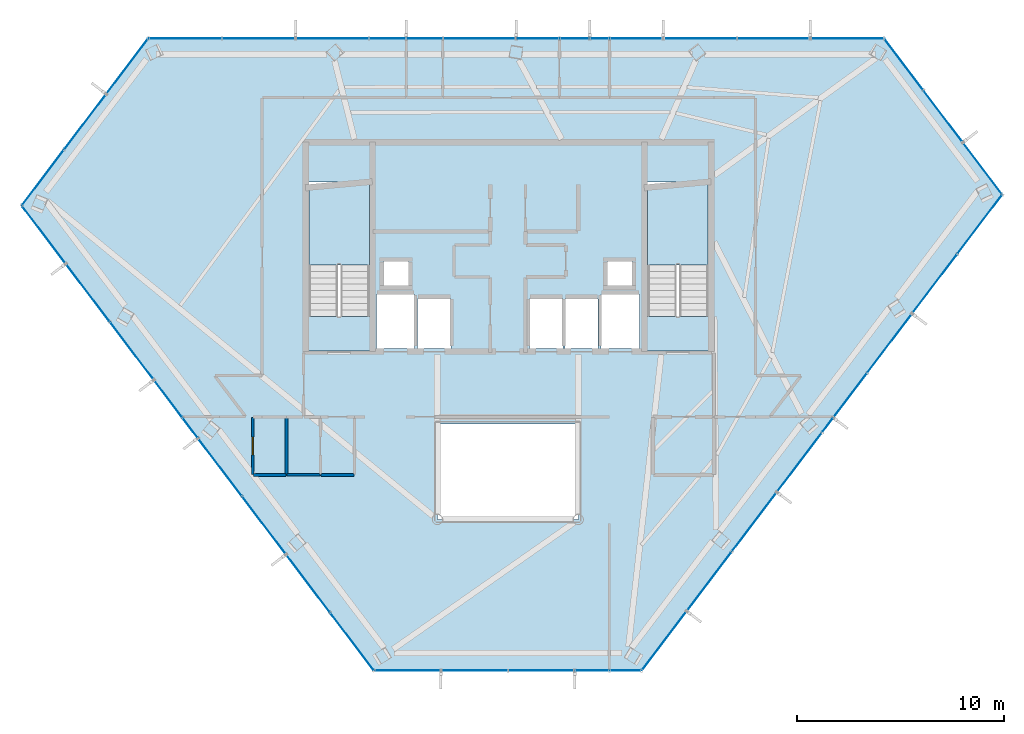
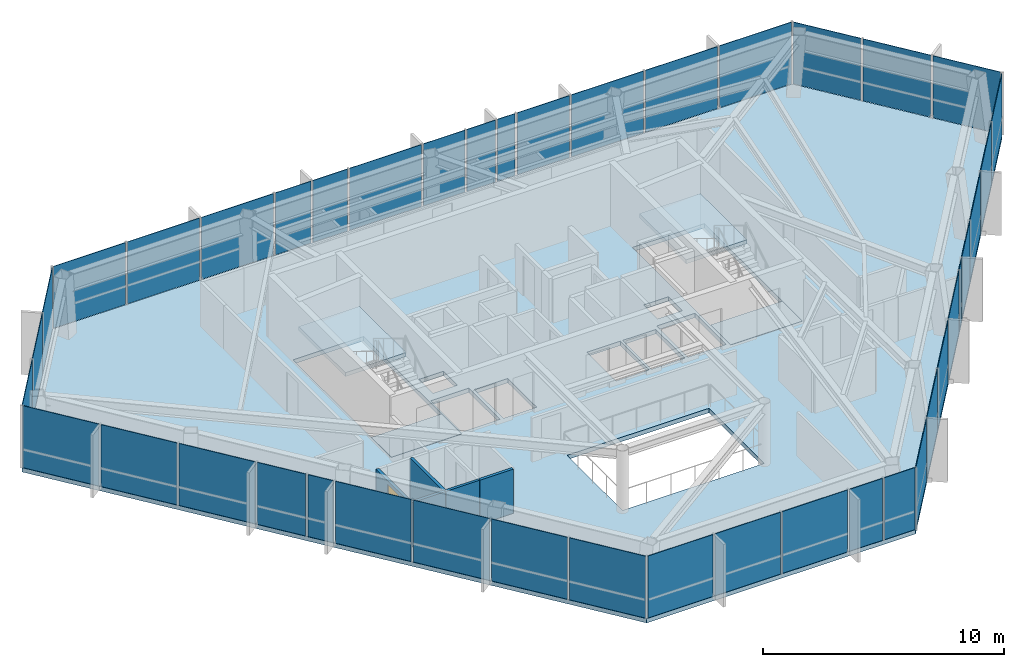
# One storey, part 23 of 27: 42 plates, 5 slabs, 5 walls, 1 door, 1 opening, 8 elements without a shape of their own.
"""IFC4 building model written with IfcOpenShell, lengths in metres."""

from ifc_helpers import new_model, si_unit, direction, frame, frame_2d, origin, origin_2d, place, context, subcontext, project, spatial, polyline, rectangle, outline, extrude, material, layer, layer_set, type_object, element, fill, aggregate, save


model = new_model("IFC4")

# Units and contexts
model_context = context("Model", 3, precision=1e-05, world=origin(), true_north=direction((0.0, 1.0)))
body_context = subcontext(model_context, "Body", "Model", "MODEL_VIEW")
ifc_project = project(units=[si_unit("LENGTHUNIT", "METRE"), si_unit("AREAUNIT", "SQUARE_METRE"), si_unit("VOLUMEUNIT", "CUBIC_METRE"), si_unit("PLANEANGLEUNIT", "RADIAN"), si_unit("MASSUNIT", "GRAM", prefix="KILO")], contexts=[model_context])

# Site, building, storey
site_placement = place(None, origin())
site = spatial("IfcSite", under=ifc_project, at=site_placement, CompositionType="ELEMENT")
building_placement = place(site_placement, origin())
building = spatial("IfcBuilding", under=site, at=building_placement, Name="Zarrinselat Tower", CompositionType="ELEMENT")
storey_placement = place(building_placement, frame((0.0, 0.0, 215.56005859375)))
storey = spatial("IfcBuildingStorey", under=building, at=storey_placement, Name="L53", CompositionType="ELEMENT", Elevation=215.56005859375)

# Curtain wall, plates
ifc_material_1 = material(Name="Extruded Aluminium Alloy EN AW-6063 T6", Category="aluminium")
ifc_layer_1 = layer(ifc_material_1, 0.169921875)
ifc_layer_set_1 = layer_set([ifc_layer_1], Name="Extruded Aluminium Alloy EN AW-6063 T6")
curtain_wall_type = type_object("IfcCurtainWallType", Name="CWS-RES", PredefinedType="NOTDEFINED", material=ifc_layer_set_1)
curtain_wall_1_placement = place(storey_placement, origin())
curtain_wall_1 = element("IfcCurtainWall", 1, at=curtain_wall_1_placement, inside=storey, type_object=curtain_wall_type, Name="L53 Unitised Curtain Wall CW-L53-E01", PredefinedType="NOTDEFINED")
ifc_material_2 = material(Name="Double Low-E Laminated Solar Glass", Category="glass")
ifc_layer_2 = layer(ifc_material_2, 0.028076171875)
ifc_layer_set_2 = layer_set([ifc_layer_2], Name="Double Low-E Laminated Solar Glass")
plate_type = type_object("IfcPlateType", Name="PLT-CW-GL28", PredefinedType="CURTAIN_PANEL", material=ifc_layer_set_2)
plate_1_placement = place(storey_placement, frame((54.767333984375, 48.4111328125, 0.02001953125), z_axis=(0.0, 0.0, 1.0), x_axis=(-1.0, 0.0, 0.0)))
plate_1 = element("IfcPlate", 2, at=plate_1_placement, type_object=plate_type, Name="CW-L53-E01 Vision Glass Panel 1", PredefinedType="CURTAIN_PANEL", context=body_context, shape_type="SweptSolid", body=[
    extrude(rectangle(XDim=3.447998046875, YDim=0.028076171875, at=origin_2d()), origin(), (0.0, 0.0, 1.0), 3.139892578125),
])
plate_2_placement = place(storey_placement, frame((51.219482421875, 48.4111328125, 0.02001953125), z_axis=(0.0, 0.0, 1.0), x_axis=(-1.0, 0.0, 0.0)))
plate_2 = element("IfcPlate", 3, at=plate_2_placement, type_object=plate_type, Name="CW-L53-E01 Vision Glass Panel 2", PredefinedType="CURTAIN_PANEL", context=body_context, shape_type="SweptSolid", body=[
    extrude(rectangle(XDim=3.447998046875, YDim=0.028076171875, at=origin_2d()), origin(), (0.0, 0.0, 1.0), 3.139892578125),
])
plate_3_placement = place(storey_placement, frame((47.671630859375, 48.4111328125, 0.02001953125), z_axis=(0.0, 0.0, 1.0), x_axis=(-1.0, 0.0, 0.0)))
plate_3 = element("IfcPlate", 4, at=plate_3_placement, type_object=plate_type, Name="CW-L53-E01 Vision Glass Panel 3", PredefinedType="CURTAIN_PANEL", context=body_context, shape_type="SweptSolid", body=[
    extrude(rectangle(XDim=3.447998046875, YDim=0.028076171875, at=origin_2d()), origin(), (0.0, 0.0, 1.0), 3.139892578125),
])
plate_4_placement = place(storey_placement, frame((44.598876953125, 48.4111328125, 0.02001953125), z_axis=(0.0, 0.0, 1.0), x_axis=(-1.0, 0.0, 0.0)))
plate_4 = element("IfcPlate", 5, at=plate_4_placement, type_object=plate_type, Name="CW-L53-E01 Vision Glass Panel 4", PredefinedType="CURTAIN_PANEL", context=body_context, shape_type="SweptSolid", body=[
    extrude(rectangle(XDim=2.497802734375, YDim=0.028076171875, at=origin_2d()), origin(), (0.0, 0.0, 1.0), 3.139892578125),
])
plate_5_placement = place(storey_placement, frame((42.824951171875, 48.4111328125, 0.02001953125), z_axis=(0.0, 0.0, 1.0), x_axis=(-1.0, 0.0, 0.0)))
plate_5 = element("IfcPlate", 6, at=plate_5_placement, type_object=plate_type, Name="CW-L53-E01 Vision Glass Panel 5", PredefinedType="CURTAIN_PANEL", context=body_context, shape_type="SweptSolid", body=[
    extrude(rectangle(XDim=0.85009765625, YDim=0.028076171875, at=origin_2d()), origin(), (0.0, 0.0, 1.0), 3.139892578125),
])
plate_6_placement = place(storey_placement, frame((41.619384765625, 48.4111328125, 0.02001953125), z_axis=(0.0, 0.0, 1.0), x_axis=(-1.0, 0.0, 0.0)))
plate_6 = element("IfcPlate", 7, at=plate_6_placement, type_object=plate_type, Name="CW-L53-E01 Vision Glass Panel 6", PredefinedType="CURTAIN_PANEL", context=body_context, shape_type="SweptSolid", body=[
    extrude(rectangle(XDim=1.360595703125, YDim=0.028076171875, at=origin_2d()), origin(), (0.0, 0.0, 1.0), 3.139892578125),
])
plate_7_placement = place(storey_placement, frame((39.845703125, 48.4111328125, 0.02001953125), z_axis=(0.0, 0.0, 1.0), x_axis=(-1.0, 0.0, 0.0)))
plate_7 = element("IfcPlate", 8, at=plate_7_placement, type_object=plate_type, Name="CW-L53-E01 Vision Glass Panel 7", PredefinedType="CURTAIN_PANEL", context=body_context, shape_type="SweptSolid", body=[
    extrude(rectangle(XDim=1.9873046875, YDim=0.028076171875, at=origin_2d()), origin(), (0.0, 0.0, 1.0), 3.139892578125),
])
plate_8_placement = place(storey_placement, frame((37.032958984375, 48.4111328125, 0.02001953125), z_axis=(0.0, 0.0, 1.0), x_axis=(-1.0, 0.0, 0.0)))
plate_8 = element("IfcPlate", 9, at=plate_8_placement, type_object=plate_type, Name="CW-L53-E01 Vision Glass Panel 8", PredefinedType="CURTAIN_PANEL", context=body_context, shape_type="SweptSolid", body=[
    extrude(rectangle(XDim=3.43798828125, YDim=0.028076171875, at=origin_2d()), origin(), (0.0, 0.0, 1.0), 3.139892578125),
])
plate_9_placement = place(storey_placement, frame((34.382080078125, 48.4111328125, 0.02001953125), z_axis=(0.0, 0.0, 1.0), x_axis=(-1.0, 0.0, 0.0)))
plate_9 = element("IfcPlate", 10, at=plate_9_placement, type_object=plate_type, Name="CW-L53-E01 Vision Glass Panel 9", PredefinedType="CURTAIN_PANEL", context=body_context, shape_type="SweptSolid", body=[
    extrude(rectangle(XDim=1.6640625, YDim=0.028076171875, at=origin_2d()), origin(), (0.0, 0.0, 1.0), 3.139892578125),
])
plate_10_placement = place(storey_placement, frame((32.60302734375, 48.4111328125, 0.02001953125), z_axis=(0.0, 0.0, 1.0), x_axis=(-1.0, 0.0, 0.0)))
plate_10 = element("IfcPlate", 11, at=plate_10_placement, type_object=plate_type, Name="CW-L53-E01 Vision Glass Panel 10", PredefinedType="CURTAIN_PANEL", context=body_context, shape_type="SweptSolid", body=[
    extrude(rectangle(XDim=1.69384765625, YDim=0.028076171875, at=origin_2d()), origin(), (0.0, 0.0, 1.0), 3.139892578125),
])
plate_11_placement = place(storey_placement, frame((29.932373046875, 48.4111328125, 0.02001953125), z_axis=(0.0, 0.0, 1.0), x_axis=(-1.0, 0.0, 0.0)))
plate_11 = element("IfcPlate", 12, at=plate_11_placement, type_object=plate_type, Name="CW-L53-E01 Vision Glass Panel 11", PredefinedType="CURTAIN_PANEL", context=body_context, shape_type="SweptSolid", body=[
    extrude(rectangle(XDim=3.447998046875, YDim=0.028076171875, at=origin_2d()), origin(), (0.0, 0.0, 1.0), 3.139892578125),
])
plate_12_placement = place(storey_placement, frame((26.384521484375, 48.4111328125, 0.02001953125), z_axis=(0.0, 0.0, 1.0), x_axis=(-1.0, 0.0, 0.0)))
plate_12 = element("IfcPlate", 13, at=plate_12_placement, type_object=plate_type, Name="CW-L53-E01 Vision Glass Panel 12", PredefinedType="CURTAIN_PANEL", context=body_context, shape_type="SweptSolid", body=[
    extrude(rectangle(XDim=3.447998046875, YDim=0.028076171875, at=origin_2d()), origin(), (0.0, 0.0, 1.0), 3.139892578125),
])
plate_13_placement = place(storey_placement, frame((22.836669921875, 48.4111328125, 0.02001953125), z_axis=(0.0, 0.0, 1.0), x_axis=(-1.0, 0.0, 0.0)))
plate_13 = element("IfcPlate", 14, at=plate_13_placement, type_object=plate_type, Name="CW-L53-E01 Vision Glass Panel 13", PredefinedType="CURTAIN_PANEL", context=body_context, shape_type="SweptSolid", body=[
    extrude(rectangle(XDim=3.447998046875, YDim=0.028076171875, at=origin_2d()), origin(), (0.0, 0.0, 1.0), 3.139892578125),
])
aggregate(curtain_wall_1, [plate_1, plate_2, plate_3, plate_4, plate_5, plate_6, plate_7, plate_8, plate_9, plate_10, plate_11, plate_12, plate_13])

curtain_wall_2_placement = place(storey_placement, origin())
curtain_wall_2 = element("IfcCurtainWall", 15, at=curtain_wall_2_placement, inside=storey, type_object=curtain_wall_type, Name="L53 Unitised Curtain Wall CW-L53-E02", PredefinedType="NOTDEFINED")
plate_14_placement = place(storey_placement, frame((20.04443359375, 47.067138671875, 0.02001953125), z_axis=(0.0, 0.0, 1.0), x_axis=(-0.603853501206, -0.797095319947, 0.0)))
plate_14 = element("IfcPlate", 16, at=plate_14_placement, type_object=plate_type, Name="CW-L53-E02 Vision Glass Panel 1", PredefinedType="CURTAIN_PANEL", context=body_context, shape_type="SweptSolid", body=[
    extrude(rectangle(XDim=3.272216796875, YDim=0.028076171875, at=origin_2d()), origin(), (0.0, 0.0, 1.0), 3.139892578125),
])
plate_15_placement = place(storey_placement, frame((18.00830078125, 44.37890625, 0.02001953125), z_axis=(0.0, 0.0, 1.0), x_axis=(-0.603853501206, -0.797095319947, 0.0)))
plate_15 = element("IfcPlate", 17, at=plate_15_placement, type_object=plate_type, Name="CW-L53-E02 Vision Glass Panel 2", PredefinedType="CURTAIN_PANEL", context=body_context, shape_type="SweptSolid", body=[
    extrude(rectangle(XDim=3.272216796875, YDim=0.028076171875, at=origin_2d()), origin(), (0.0, 0.0, 1.0), 3.139892578125),
])
plate_16_placement = place(storey_placement, frame((15.9716796875, 41.69091796875, 0.02001953125), z_axis=(0.0, 0.0, 1.0), x_axis=(-0.603853501206, -0.797095319947, 0.0)))
plate_16 = element("IfcPlate", 18, at=plate_16_placement, type_object=plate_type, Name="CW-L53-E02 Vision Glass Panel 3", PredefinedType="CURTAIN_PANEL", context=body_context, shape_type="SweptSolid", body=[
    extrude(rectangle(XDim=3.272216796875, YDim=0.028076171875, at=origin_2d()), origin(), (0.0, 0.0, 1.0), 3.139892578125),
])
aggregate(curtain_wall_2, [plate_14, plate_15, plate_16])

curtain_wall_3_placement = place(storey_placement, origin())
curtain_wall_3 = element("IfcCurtainWall", 19, at=curtain_wall_3_placement, inside=storey, type_object=curtain_wall_type, Name="L53 Unitised Curtain Wall CW-L53-E03", PredefinedType="NOTDEFINED")
plate_17_placement = place(storey_placement, frame((16.015869140625, 38.944580078125, 0.02001953125), z_axis=(0.0, 0.0, 1.0), x_axis=(0.603858850791, -0.797091267247, 0.0)))
plate_17 = element("IfcPlate", 20, at=plate_17_placement, type_object=plate_type, Name="CW-L53-E03 Vision Glass Panel 1", PredefinedType="CURTAIN_PANEL", context=body_context, shape_type="SweptSolid", body=[
    extrude(rectangle(XDim=3.41845703125, YDim=0.028076171875, at=origin_2d()), origin(), (0.0, 0.0, 1.0), 3.139892578125),
])
plate_18_placement = place(storey_placement, frame((18.140625, 36.14013671875, 0.02001953125), z_axis=(0.0, 0.0, 1.0), x_axis=(0.603858850791, -0.797091267247, 0.0)))
plate_18 = element("IfcPlate", 21, at=plate_18_placement, type_object=plate_type, Name="CW-L53-E03 Vision Glass Panel 2", PredefinedType="CURTAIN_PANEL", context=body_context, shape_type="SweptSolid", body=[
    extrude(rectangle(XDim=3.41845703125, YDim=0.028076171875, at=origin_2d()), origin(), (0.0, 0.0, 1.0), 3.139892578125),
])
plate_19_placement = place(storey_placement, frame((20.265380859375, 33.335693359375, 0.02001953125), z_axis=(0.0, 0.0, 1.0), x_axis=(0.603858850791, -0.797091267247, 0.0)))
plate_19 = element("IfcPlate", 22, at=plate_19_placement, type_object=plate_type, Name="CW-L53-E03 Vision Glass Panel 3", PredefinedType="CURTAIN_PANEL", context=body_context, shape_type="SweptSolid", body=[
    extrude(rectangle(XDim=3.41845703125, YDim=0.028076171875, at=origin_2d()), origin(), (0.0, 0.0, 1.0), 3.139892578125),
])
plate_20_placement = place(storey_placement, frame((22.016845703125, 31.0234375, 0.02001953125), z_axis=(0.0, 0.0, 1.0), x_axis=(0.603858850791, -0.797091267247, 0.0)))
plate_20 = element("IfcPlate", 23, at=plate_20_placement, type_object=plate_type, Name="CW-L53-E03 Vision Glass Panel 4", PredefinedType="CURTAIN_PANEL", context=body_context, shape_type="SweptSolid", body=[
    extrude(rectangle(XDim=2.1826171875, YDim=0.028076171875, at=origin_2d()), origin(), (0.0, 0.0, 1.0), 3.139892578125),
])
plate_21_placement = place(storey_placement, frame((23.0791015625, 29.621337890625, 0.02001953125), z_axis=(0.0, 0.0, 1.0), x_axis=(0.603858850791, -0.797091267247, 0.0)))
plate_21 = element("IfcPlate", 24, at=plate_21_placement, type_object=plate_type, Name="CW-L53-E03 Vision Glass Panel 5", PredefinedType="CURTAIN_PANEL", context=body_context, shape_type="SweptSolid", body=[
    extrude(rectangle(XDim=1.1357421875, YDim=0.028076171875, at=origin_2d()), origin(), (0.0, 0.0, 1.0), 3.139892578125),
])
plate_22_placement = place(storey_placement, frame((24.5146484375, 27.7265625, 0.02001953125), z_axis=(0.0, 0.0, 1.0), x_axis=(0.603858850791, -0.797091267247, 0.0)))
plate_22 = element("IfcPlate", 25, at=plate_22_placement, type_object=plate_type, Name="CW-L53-E03 Vision Glass Panel 6", PredefinedType="CURTAIN_PANEL", context=body_context, shape_type="SweptSolid", body=[
    extrude(rectangle(XDim=3.41845703125, YDim=0.028076171875, at=origin_2d()), origin(), (0.0, 0.0, 1.0), 3.139892578125),
])
plate_23_placement = place(storey_placement, frame((26.639404296875, 24.921875, 0.02001953125), z_axis=(0.0, 0.0, 1.0), x_axis=(0.603858850791, -0.797091267247, 0.0)))
plate_23 = element("IfcPlate", 26, at=plate_23_placement, type_object=plate_type, Name="CW-L53-E03 Vision Glass Panel 7", PredefinedType="CURTAIN_PANEL", context=body_context, shape_type="SweptSolid", body=[
    extrude(rectangle(XDim=3.41845703125, YDim=0.028076171875, at=origin_2d()), origin(), (0.0, 0.0, 1.0), 3.139892578125),
])
plate_24_placement = place(storey_placement, frame((28.763916015625, 22.1171875, 0.02001953125), z_axis=(0.0, 0.0, 1.0), x_axis=(0.603858850791, -0.797091267247, 0.0)))
plate_24 = element("IfcPlate", 27, at=plate_24_placement, type_object=plate_type, Name="CW-L53-E03 Vision Glass Panel 8", PredefinedType="CURTAIN_PANEL", context=body_context, shape_type="SweptSolid", body=[
    extrude(rectangle(XDim=3.41845703125, YDim=0.028076171875, at=origin_2d()), origin(), (0.0, 0.0, 1.0), 3.139892578125),
])
plate_25_placement = place(storey_placement, frame((30.888671875, 19.312744140625, 0.02001953125), z_axis=(0.0, 0.0, 1.0), x_axis=(0.603858850791, -0.797091267247, 0.0)))
plate_25 = element("IfcPlate", 28, at=plate_25_placement, type_object=plate_type, Name="CW-L53-E03 Vision Glass Panel 9", PredefinedType="CURTAIN_PANEL", context=body_context, shape_type="SweptSolid", body=[
    extrude(rectangle(XDim=3.41845703125, YDim=0.028076171875, at=origin_2d()), origin(), (0.0, 0.0, 1.0), 3.139892578125),
])
aggregate(curtain_wall_3, [plate_17, plate_18, plate_19, plate_20, plate_21, plate_22, plate_23, plate_24, plate_25])

curtain_wall_4_placement = place(storey_placement, origin())
curtain_wall_4 = element("IfcCurtainWall", 29, at=curtain_wall_4_placement, inside=storey, type_object=curtain_wall_type, Name="L53 Unitised Curtain Wall CW-L53-E04", PredefinedType="NOTDEFINED")
plate_26_placement = place(storey_placement, frame((33.563232421875, 17.910400390625, 0.02001953125), z_axis=(0.0, 0.0, 1.0), x_axis=(1.0, 0.0, 0.0)))
plate_26 = element("IfcPlate", 30, at=plate_26_placement, type_object=plate_type, Name="CW-L53-E04 Vision Glass Panel 1", PredefinedType="CURTAIN_PANEL", context=body_context, shape_type="SweptSolid", body=[
    extrude(rectangle(XDim=3.12451171875, YDim=0.028076171875, at=origin_2d()), origin(), (0.0, 0.0, 1.0), 3.139892578125),
])
plate_27_placement = place(storey_placement, frame((36.787841796875, 17.910400390625, 0.02001953125), z_axis=(0.0, 0.0, 1.0), x_axis=(1.0, 0.0, 0.0)))
plate_27 = element("IfcPlate", 31, at=plate_27_placement, type_object=plate_type, Name="CW-L53-E04 Vision Glass Panel 2", PredefinedType="CURTAIN_PANEL", context=body_context, shape_type="SweptSolid", body=[
    extrude(rectangle(XDim=3.12451171875, YDim=0.028076171875, at=origin_2d()), origin(), (0.0, 0.0, 1.0), 3.139892578125),
])
plate_28_placement = place(storey_placement, frame((40.01220703125, 17.910400390625, 0.02001953125), z_axis=(0.0, 0.0, 1.0), x_axis=(1.0, 0.0, 0.0)))
plate_28 = element("IfcPlate", 32, at=plate_28_placement, type_object=plate_type, Name="CW-L53-E04 Vision Glass Panel 3", PredefinedType="CURTAIN_PANEL", context=body_context, shape_type="SweptSolid", body=[
    extrude(rectangle(XDim=3.12451171875, YDim=0.028076171875, at=origin_2d()), origin(), (0.0, 0.0, 1.0), 3.139892578125),
])
plate_29_placement = place(storey_placement, frame((42.462158203125, 17.910400390625, 0.02001953125), z_axis=(0.0, 0.0, 1.0), x_axis=(1.0, 0.0, 0.0)))
plate_29 = element("IfcPlate", 33, at=plate_29_placement, type_object=plate_type, Name="CW-L53-E04 Vision Glass Panel 4", PredefinedType="CURTAIN_PANEL", context=body_context, shape_type="SweptSolid", body=[
    extrude(rectangle(XDim=1.575439453125, YDim=0.028076171875, at=origin_2d()), origin(), (0.0, 0.0, 1.0), 3.139892578125),
])
plate_30_placement = place(storey_placement, frame((44.074462890625, 17.910400390625, 0.02001953125), z_axis=(0.0, 0.0, 1.0), x_axis=(1.0, 0.0, 0.0)))
plate_30 = element("IfcPlate", 34, at=plate_30_placement, type_object=plate_type, Name="CW-L53-E04 Vision Glass Panel 5", PredefinedType="CURTAIN_PANEL", context=body_context, shape_type="SweptSolid", body=[
    extrude(rectangle(XDim=1.448974609375, YDim=0.028076171875, at=origin_2d()), origin(), (0.0, 0.0, 1.0), 3.139892578125),
])
aggregate(curtain_wall_4, [plate_26, plate_27, plate_28, plate_29, plate_30])

curtain_wall_5_placement = place(storey_placement, origin())
curtain_wall_5 = element("IfcCurtainWall", 35, at=curtain_wall_5_placement, inside=storey, type_object=curtain_wall_type, Name="L53 Unitised Curtain Wall CW-L53-E05", PredefinedType="NOTDEFINED")
plate_31_placement = place(storey_placement, frame((45.9365234375, 19.345947265625, 0.02001953125), z_axis=(0.0, 0.0, 1.0), x_axis=(0.603859492128, 0.797090781384, 0.0)))
plate_31 = element("IfcPlate", 36, at=plate_31_placement, type_object=plate_type, Name="CW-L53-E05 Vision Glass Panel 1", PredefinedType="CURTAIN_PANEL", context=body_context, shape_type="SweptSolid", body=[
    extrude(rectangle(XDim=3.501708984375, YDim=0.028076171875, at=origin_2d()), origin(), (0.0, 0.0, 1.0), 3.139892578125),
])
plate_32_placement = place(storey_placement, frame((48.111328125, 22.216796875, 0.02001953125), z_axis=(0.0, 0.0, 1.0), x_axis=(0.603859492128, 0.797090781384, 0.0)))
plate_32 = element("IfcPlate", 37, at=plate_32_placement, type_object=plate_type, Name="CW-L53-E05 Vision Glass Panel 2", PredefinedType="CURTAIN_PANEL", context=body_context, shape_type="SweptSolid", body=[
    extrude(rectangle(XDim=3.501708984375, YDim=0.028076171875, at=origin_2d()), origin(), (0.0, 0.0, 1.0), 3.139892578125),
])
plate_33_placement = place(storey_placement, frame((50.286376953125, 25.087646484375, 0.02001953125), z_axis=(0.0, 0.0, 1.0), x_axis=(0.603859492128, 0.797090781384, 0.0)))
plate_33 = element("IfcPlate", 38, at=plate_33_placement, type_object=plate_type, Name="CW-L53-E05 Vision Glass Panel 3", PredefinedType="CURTAIN_PANEL", context=body_context, shape_type="SweptSolid", body=[
    extrude(rectangle(XDim=3.501708984375, YDim=0.028076171875, at=origin_2d()), origin(), (0.0, 0.0, 1.0), 3.139892578125),
])
plate_34_placement = place(storey_placement, frame((52.461181640625, 27.95849609375, 0.02001953125), z_axis=(0.0, 0.0, 1.0), x_axis=(0.603859492128, 0.797090781384, 0.0)))
plate_34 = element("IfcPlate", 39, at=plate_34_placement, type_object=plate_type, Name="CW-L53-E05 Vision Glass Panel 4", PredefinedType="CURTAIN_PANEL", context=body_context, shape_type="SweptSolid", body=[
    extrude(rectangle(XDim=3.501708984375, YDim=0.028076171875, at=origin_2d()), origin(), (0.0, 0.0, 1.0), 3.139892578125),
])
plate_35_placement = place(storey_placement, frame((53.8212890625, 29.75390625, 0.02001953125), z_axis=(0.0, 0.0, 1.0), x_axis=(0.603859492128, 0.797090781384, 0.0)))
plate_35 = element("IfcPlate", 40, at=plate_35_placement, type_object=plate_type, Name="CW-L53-E05 Vision Glass Panel 5", PredefinedType="CURTAIN_PANEL", context=body_context, shape_type="SweptSolid", body=[
    extrude(rectangle(XDim=0.802978515625, YDim=0.028076171875, at=origin_2d()), origin(), (0.0, 0.0, 1.0), 3.139892578125),
])
plate_36_placement = place(storey_placement, frame((54.90869140625, 31.189208984375, 0.02001953125), z_axis=(0.0, 0.0, 1.0), x_axis=(0.603859492128, 0.797090781384, 0.0)))
plate_36 = element("IfcPlate", 41, at=plate_36_placement, type_object=plate_type, Name="CW-L53-E05 Vision Glass Panel 6", PredefinedType="CURTAIN_PANEL", context=body_context, shape_type="SweptSolid", body=[
    extrude(rectangle(XDim=2.598876953125, YDim=0.028076171875, at=origin_2d()), origin(), (0.0, 0.0, 1.0), 3.139892578125),
])
plate_37_placement = place(storey_placement, frame((56.81103515625, 33.700439453125, 0.02001953125), z_axis=(0.0, 0.0, 1.0), x_axis=(0.603859492128, 0.797090781384, 0.0)))
plate_37 = element("IfcPlate", 42, at=plate_37_placement, type_object=plate_type, Name="CW-L53-E05 Vision Glass Panel 7", PredefinedType="CURTAIN_PANEL", context=body_context, shape_type="SweptSolid", body=[
    extrude(rectangle(XDim=3.501708984375, YDim=0.028076171875, at=origin_2d()), origin(), (0.0, 0.0, 1.0), 3.139892578125),
])
plate_38_placement = place(storey_placement, frame((58.986083984375, 36.5712890625, 0.02001953125), z_axis=(0.0, 0.0, 1.0), x_axis=(0.603859492128, 0.797090781384, 0.0)))
plate_38 = element("IfcPlate", 43, at=plate_38_placement, type_object=plate_type, Name="CW-L53-E05 Vision Glass Panel 8", PredefinedType="CURTAIN_PANEL", context=body_context, shape_type="SweptSolid", body=[
    extrude(rectangle(XDim=3.501708984375, YDim=0.028076171875, at=origin_2d()), origin(), (0.0, 0.0, 1.0), 3.139892578125),
])
plate_39_placement = place(storey_placement, frame((61.160888671875, 39.442138671875, 0.02001953125), z_axis=(0.0, 0.0, 1.0), x_axis=(0.603859492128, 0.797090781384, 0.0)))
plate_39 = element("IfcPlate", 44, at=plate_39_placement, type_object=plate_type, Name="CW-L53-E05 Vision Glass Panel 9", PredefinedType="CURTAIN_PANEL", context=body_context, shape_type="SweptSolid", body=[
    extrude(rectangle(XDim=3.501708984375, YDim=0.028076171875, at=origin_2d()), origin(), (0.0, 0.0, 1.0), 3.139892578125),
])
aggregate(curtain_wall_5, [plate_31, plate_32, plate_33, plate_34, plate_35, plate_36, plate_37, plate_38, plate_39])

curtain_wall_6_placement = place(storey_placement, origin())
curtain_wall_6 = element("IfcCurtainWall", 45, at=curtain_wall_6_placement, inside=storey, type_object=curtain_wall_type, Name="L53 Unitised Curtain Wall CW-L53-E06", PredefinedType="NOTDEFINED")
plate_40_placement = place(storey_placement, frame((61.297119140625, 42.13330078125, 0.02001953125), z_axis=(0.0, 0.0, 1.0), x_axis=(-0.603857891707, 0.797091993827, 0.0)))
plate_40 = element("IfcPlate", 46, at=plate_40_placement, type_object=plate_type, Name="CW-L53-E06 Vision Glass Panel 1", PredefinedType="CURTAIN_PANEL", context=body_context, shape_type="SweptSolid", body=[
    extrude(rectangle(XDim=3.05029296875, YDim=0.028076171875, at=origin_2d()), origin(), (0.0, 0.0, 1.0), 3.139892578125),
])
plate_41_placement = place(storey_placement, frame((59.394775390625, 44.644287109375, 0.02001953125), z_axis=(0.0, 0.0, 1.0), x_axis=(-0.603857891707, 0.797091993827, 0.0)))
plate_41 = element("IfcPlate", 47, at=plate_41_placement, type_object=plate_type, Name="CW-L53-E06 Vision Glass Panel 2", PredefinedType="CURTAIN_PANEL", context=body_context, shape_type="SweptSolid", body=[
    extrude(rectangle(XDim=3.05029296875, YDim=0.028076171875, at=origin_2d()), origin(), (0.0, 0.0, 1.0), 3.139892578125),
])
plate_42_placement = place(storey_placement, frame((57.492431640625, 47.155517578125, 0.02001953125), z_axis=(0.0, 0.0, 1.0), x_axis=(-0.603857891707, 0.797091993827, 0.0)))
plate_42 = element("IfcPlate", 48, at=plate_42_placement, type_object=plate_type, Name="CW-L53-E06 Vision Glass Panel 3", PredefinedType="CURTAIN_PANEL", context=body_context, shape_type="SweptSolid", body=[
    extrude(rectangle(XDim=3.05029296875, YDim=0.028076171875, at=origin_2d()), origin(), (0.0, 0.0, 1.0), 3.139892578125),
])
aggregate(curtain_wall_6, [plate_40, plate_41, plate_42])

# Slabs
ifc_material_3 = material(Name="Concrete C40/50", Category="concrete")
ifc_layer_3 = layer(ifc_material_3, 0.219970703125)
ifc_layer_set_3 = layer_set([ifc_layer_3], Name="Concrete C40/50")
slab_type_1 = type_object("IfcSlabType", Name="SLB-FLOOR-220-SL-RS220", PredefinedType="FLOOR", material=ifc_layer_set_3)
slab_1_placement = place(storey_placement, frame((0.0, 0.0, -0.219970703125)))
element("IfcSlab", 49, at=slab_1_placement, inside=storey, type_object=slab_type_1, Name="L53 Primary Structural Slab", PredefinedType="FLOOR", context=body_context, shape_type="SweptSolid", body=[
    extrude(outline(polyline([(56.541259765625, 48.4111328125), (21.062744140625, 48.4111328125), (14.95361328125, 40.346923828125), (31.950927734375, 17.910400390625), (44.84912109375, 17.910400390625), (62.248291015625, 40.877685546875), (56.541259765625, 48.4111328125)]), holes=[polyline([(41.800048828125, 25.199951171875), (35.0, 25.199951171875), (35.0, 29.800048828125), (41.800048828125, 29.800048828125), (41.800048828125, 25.199951171875)]), polyline([(35.64990234375, 33.449951171875), (34.050048828125, 33.449951171875), (34.050048828125, 35.85009765625), (35.64990234375, 35.85009765625), (35.64990234375, 33.449951171875)]), polyline([(41.050048828125, 33.449951171875), (39.449951171875, 33.449951171875), (39.449951171875, 35.85009765625), (41.050048828125, 35.85009765625), (41.050048828125, 33.449951171875)]), polyline([(41.14990234375, 33.449951171875), (41.14990234375, 35.85009765625), (42.75, 35.85009765625), (42.75, 33.449951171875), (41.14990234375, 33.449951171875)]), polyline([(32.06005859375, 33.449951171875), (32.06005859375, 36.050048828125), (33.89990234375, 36.050048828125), (33.89990234375, 33.449951171875), (32.06005859375, 33.449951171875)]), polyline([(44.739990234375, 33.449951171875), (42.89990234375, 33.449951171875), (42.89990234375, 36.050048828125), (44.739990234375, 36.050048828125), (44.739990234375, 33.449951171875)]), polyline([(33.60009765625, 36.47998046875), (32.419921875, 36.47998046875), (32.419921875, 37.639892578125), (33.60009765625, 37.639892578125), (33.60009765625, 36.47998046875)]), polyline([(44.3798828125, 36.47998046875), (43.199951171875, 36.47998046875), (43.199951171875, 37.639892578125), (44.3798828125, 37.639892578125), (44.3798828125, 36.47998046875)]), polyline([(31.985107421875, 33.324951171875), (28.60498046875, 33.324951171875), (28.60498046875, 41.47509765625), (31.985107421875, 41.47509765625), (31.985107421875, 33.324951171875)]), polyline([(48.324951171875, 33.324951171875), (44.875, 33.324951171875), (44.875, 41.47509765625), (48.324951171875, 41.47509765625), (48.324951171875, 33.324951171875)])]), origin(), (0.0, 0.0, 1.0), 0.219970703125),
])
slab_2_placement = place(storey_placement, frame((0.0, 0.0, -0.219970703125)))
element("IfcSlab", 50, at=slab_2_placement, inside=storey, type_object=slab_type_1, Name="L53 Stair ST-1-FL1 Structural Floor Landing", PredefinedType="FLOOR", context=body_context, shape_type="SweptSolid", body=[
    extrude(outline(polyline([(31.97998046875, 33.330078125), (31.97998046875, 35.0), (28.610107421875, 35.0), (28.610107421875, 33.330078125), (31.97998046875, 33.330078125)])), origin(), (0.0, 0.0, 1.0), 0.219970703125),
])
slab_3_placement = place(storey_placement, frame((0.0, 0.0, -0.219970703125)))
element("IfcSlab", 51, at=slab_3_placement, inside=storey, type_object=slab_type_1, Name="L53 Stair ST-2-FL1 Structural Floor Landing", PredefinedType="FLOOR", context=body_context, shape_type="SweptSolid", body=[
    extrude(outline(polyline([(48.320068359375, 33.330078125), (48.320068359375, 35.0), (44.8798828125, 35.0), (44.8798828125, 33.330078125), (48.320068359375, 33.330078125)])), origin(), (0.0, 0.0, 1.0), 0.219970703125),
])

# Stair, slab
ifc_material_4 = material(Name="Concrete C40/50", Category="concrete")
stair_type = type_object("IfcStairType", Name="STR-CORE-155", PredefinedType="HALF_TURN_STAIR", material=ifc_material_4)
stair_1_placement = place(storey_placement, origin())
stair_1 = element("IfcStair", 52, at=stair_1_placement, inside=storey, type_object=stair_type, Name="L53 Core Exit Stair 1", PredefinedType="HALF_TURN_STAIR")
ifc_material_5 = material(Name="Concrete C40/50", Category="concrete")
ifc_layer_4 = layer(ifc_material_5, 0.18994140625)
ifc_layer_set_4 = layer_set([ifc_layer_4], Name="Concrete C40/50")
slab_type_2 = type_object("IfcSlabType", Name="SLB-LND-190", PredefinedType="LANDING", material=ifc_layer_set_4)
slab_4_placement = place(storey_placement, frame((0.0, 0.0, 1.5)))
slab_4 = element("IfcSlab", 53, at=slab_4_placement, type_object=slab_type_2, Name="ST-1 landing 1", PredefinedType="LANDING", context=body_context, shape_type="SweptSolid", body=[
    extrude(outline(polyline([(31.719970703125, 37.47998046875), (31.719970703125, 41.35009765625), (28.800048828125, 41.35009765625), (28.800048828125, 37.47998046875), (31.719970703125, 37.47998046875)])), origin(), (0.0, 0.0, 1.0), 0.199951171875),
])
aggregate(stair_1, [slab_4])

stair_2_placement = place(storey_placement, origin())
stair_2 = element("IfcStair", 54, at=stair_2_placement, inside=storey, type_object=stair_type, Name="L53 Core Exit Stair 2", PredefinedType="HALF_TURN_STAIR")
slab_5_placement = place(storey_placement, frame((0.0, 0.0, 1.5)))
slab_5 = element("IfcSlab", 55, at=slab_5_placement, type_object=slab_type_2, Name="ST-2 landing 1", PredefinedType="LANDING", context=body_context, shape_type="SweptSolid", body=[
    extrude(outline(polyline([(48.06005859375, 37.47998046875), (48.06005859375, 41.35009765625), (45.139892578125, 41.35009765625), (45.139892578125, 37.47998046875), (48.06005859375, 37.47998046875)])), origin(), (0.0, 0.0, 1.0), 0.199951171875),
])
aggregate(stair_2, [slab_5])

# Walls
ifc_material_6 = material(Name="Fire-Rated Gypsum Board Partition", Category="gypsum")
ifc_layer_5 = layer(ifc_material_6, 0.1201171875)
ifc_layer_set_5 = layer_set([ifc_layer_5], Name="Fire-Rated Gypsum Board Partition")
wall_type_1 = type_object("IfcWallType", Name="WAL-PART-STD", PredefinedType="PARTITIONING", material=ifc_layer_set_5)
wall_1_placement = place(storey_placement, frame((27.75, 27.35009765625, 0.0), z_axis=(0.0, 0.0, 1.0), x_axis=(1.0, 0.0, 0.0)))
element("IfcWall", 56, at=wall_1_placement, inside=storey, type_object=wall_type_1, Name="L53 Partition Wall 52", PredefinedType="PARTITIONING", context=body_context, shape_type="SweptSolid", body=[
    extrude(rectangle(XDim=1.590087890625, YDim=0.1201171875, at=frame_2d((0.794921875, 0.0))), origin(), (0.0, 0.0, 1.0), 2.23486328125),
])
ifc_material_7 = material(Name="Fire-Rated Gypsum Board Partition", Category="gypsum")
ifc_layer_6 = layer(ifc_material_7, 0.135009765625)
ifc_layer_set_6 = layer_set([ifc_layer_6], Name="Fire-Rated Gypsum Board Partition")
wall_type_2 = type_object("IfcWallType", Name="WAL-PART-WET", PredefinedType="PARTITIONING", material=ifc_layer_set_6)
wall_2_placement = place(storey_placement, frame((29.3798828125, 27.35009765625, 0.0), z_axis=(0.0, 0.0, 1.0), x_axis=(1.0, 0.0, 0.0)))
element("IfcWall", 57, at=wall_2_placement, inside=storey, type_object=wall_type_2, Name="L53 Partition Wall 47", PredefinedType="PARTITIONING", context=body_context, shape_type="SweptSolid", body=[
    extrude(rectangle(XDim=1.60009765625, YDim=0.135009765625, at=frame_2d((0.800048828125, 0.0))), origin(), (0.0, 0.0, 1.0), 2.23486328125),
])
wall_3_placement = place(storey_placement, frame((27.72998046875, 27.3701171875, 0.0), z_axis=(0.0, 0.0, 1.0), x_axis=(0.0, 1.0, 0.0)))
element("IfcWall", 58, at=wall_3_placement, inside=storey, type_object=wall_type_2, Name="L53 Partition Wall 49", PredefinedType="PARTITIONING", context=body_context, shape_type="SweptSolid", body=[
    extrude(rectangle(XDim=2.759765625, YDim=0.135009765625, at=frame_2d((1.3798828125, 0.0))), origin(), (0.0, 0.0, 1.0), 2.23486328125),
])
wall_4_placement = place(storey_placement, frame((26.1201171875, 27.35009765625, 0.0), z_axis=(0.0, 0.0, 1.0), x_axis=(1.0, 0.0, 0.0)))
element("IfcWall", 59, at=wall_4_placement, inside=storey, type_object=wall_type_2, Name="L53 Partition Wall 50", PredefinedType="PARTITIONING", context=body_context, shape_type="SweptSolid", body=[
    extrude(rectangle(XDim=1.58984375, YDim=0.135009765625, at=frame_2d((0.794921875, 0.0))), origin(), (0.0, 0.0, 1.0), 2.23486328125),
])

# Wall, opening, door
wall_5_placement = place(storey_placement, frame((26.10009765625, 27.3701171875, 0.0), z_axis=(0.0, 0.0, 1.0), x_axis=(0.0, 1.0, 0.0)))
wall_5 = element("IfcWall", 60, at=wall_5_placement, inside=storey, type_object=wall_type_2, Name="L53 Partition Wall 51", PredefinedType="PARTITIONING", context=body_context, shape_type="SweptSolid", body=[
    extrude(rectangle(XDim=2.759765625, YDim=0.135009765625, at=frame_2d((1.3798828125, 0.0))), origin(), (0.0, 0.0, 1.0), 2.23486328125),
])
opening_placement = place(wall_5_placement, frame((0.949951171875, 0.0, 0.0)))
opening = element("IfcOpeningElement", 61, at=opening_placement, cuts=wall_5, Name="Opening ID-06", PredefinedType="OPENING", context=body_context, shape_type="SweptSolid", body=[
    extrude(rectangle(XDim=0.860107421875, YDim=2.050048828125, at=frame_2d((0.43017578125, 1.02490234375))), frame((0.0, 0.077392578125, 0.0), z_axis=(0.0, -1.0, 0.0), x_axis=(1.0, 0.0, 0.0)), (0.0, 0.0, 1.0), 0.155029296875),
])
ifc_material_8 = material(Name="Extruded Aluminium Alloy EN AW-6063 T6", Category="aluminium")
door_type = type_object("IfcDoorType", Name="DR-INT-WET-900", OperationType="NOTDEFINED", PredefinedType="DOOR", material=ifc_material_8)
door_placement = place(opening_placement, origin())
door = element("IfcDoor", 62, at=door_placement, inside=storey, type_object=door_type, Name="L53 Interior Door P51", OperationType="SINGLE_SWING_LEFT", OverallHeight=2.050048828125, OverallWidth=0.860107421875, PredefinedType="DOOR", context=body_context, shape_type="SweptSolid", body=[
    extrude(rectangle(XDim=0.860107421875, YDim=2.050048828125, at=frame_2d((0.43017578125, 1.02490234375))), frame((0.0, 0.02490234375, 0.0), z_axis=(0.0, -1.0, 0.0), x_axis=(1.0, 0.0, 0.0)), (0.0, 0.0, 1.0), 0.050048828125),
])
fill(opening, door)

save(model, "model.ifc")
